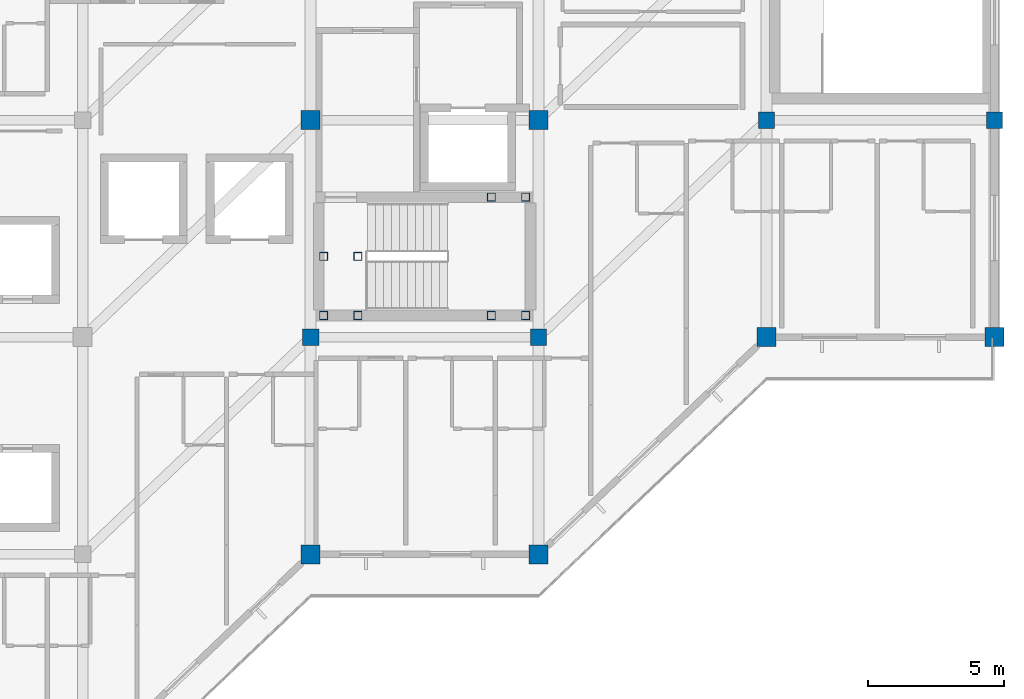
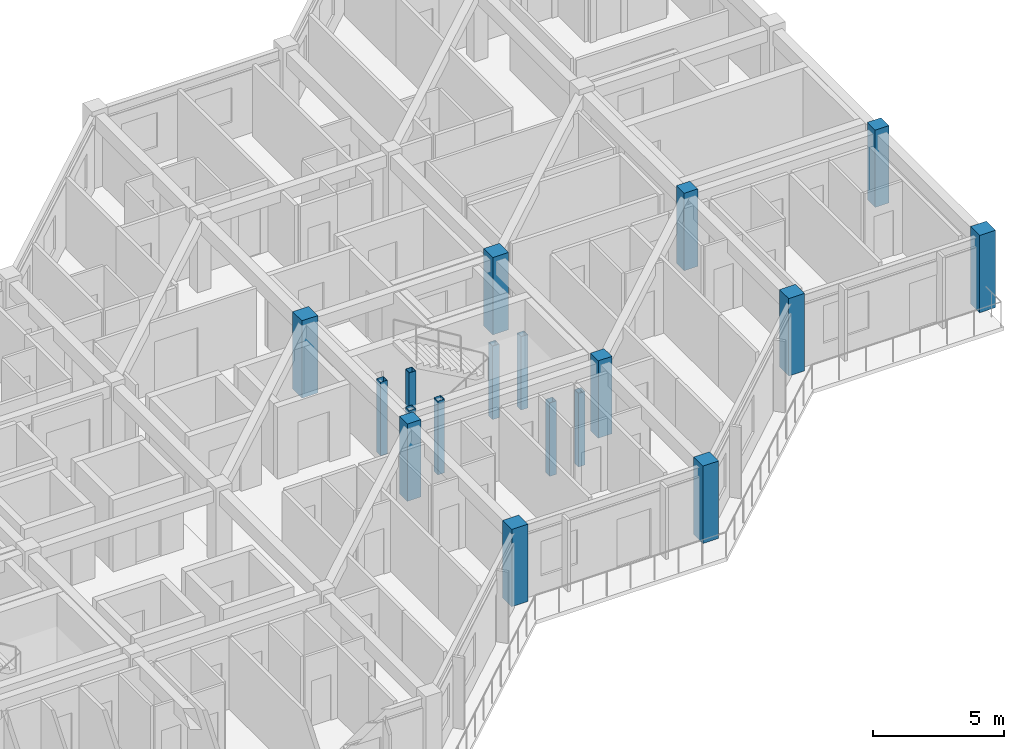
# One storey, part 2 of 15: 18 columns.
"""IFC4 building model written with IfcOpenShell, lengths in metres."""

from ifc_helpers import new_model, si_unit, direction, frame, origin, origin_2d, place, context, subcontext, project, spatial, rectangle, hollow_rectangle, extrude, material, material_profile, profile_set, type_object, element, save


model = new_model("IFC4")

# Units and contexts
model_context = context("Model", 3, precision=1e-05, world=origin(), true_north=direction((0.0, 1.0)))
body_context = subcontext(model_context, "Body", "Model", "MODEL_VIEW")
ifc_project = project(units=[si_unit("LENGTHUNIT", "METRE"), si_unit("AREAUNIT", "SQUARE_METRE"), si_unit("VOLUMEUNIT", "CUBIC_METRE"), si_unit("PLANEANGLEUNIT", "RADIAN"), si_unit("MASSUNIT", "GRAM", prefix="KILO")], contexts=[model_context])

# Site, building, storey
site_placement = place(None, origin())
site = spatial("IfcSite", under=ifc_project, at=site_placement, CompositionType="ELEMENT")
building_placement = place(site_placement, origin())
building = spatial("IfcBuilding", under=site, at=building_placement, Name="Naruveol Harbour Congress Hotel", CompositionType="ELEMENT")
storey_placement = place(building_placement, frame((0.0, 0.0, 32.39990234375)))
storey = spatial("IfcBuildingStorey", under=building, at=storey_placement, Name="L07", CompositionType="ELEMENT", Elevation=32.39990234375)

# Columns
ifc_material_1 = material(Name="Concrete C40/50", Category="concrete")
ifc_material_profile_1 = material_profile(ifc_material_1, rectangle(XDim=0.699951171875, YDim=0.699951171875, at=origin_2d()), Name="RC-700x700")
ifc_profile_set_1 = profile_set([ifc_material_profile_1], Name="Concrete C40/50")
column_type_1 = type_object("IfcColumnType", Name="RC HOTEL COLUMN 700X700", PredefinedType="COLUMN", material=ifc_profile_set_1)
for number, where, z_axis, x_axis, name in (
    (1, (151.199951171875, 8.0, 0.0), (0.0, 0.0, 1.0), (1.0, 0.0, 0.0), "Column C-700 L07 (151.2,8.0)"),
    (2, (151.199951171875, 24.0, 0.0), (0.0, 0.0, 1.0), (1.0, 0.0, 0.0), "Column C-700 L07 (151.2,24.0)"),
    (3, (159.60009765625, 8.0, 0.0), (0.0, 0.0, 1.0), (1.0, 0.0, 0.0), "Column C-700 L07 (159.6,8.0)"),
    (4, (159.60009765625, 24.0, 0.0), (0.0, 0.0, 1.0), (1.0, 0.0, 0.0), "Column C-700 L07 (159.6,24.0)"),
    (5, (168.0, 16.0, 0.0), (0.0, 0.0, 1.0), (1.0, 0.0, 0.0), "Column C-700 L07 (168.0,16.0)"),
    (6, (176.39990234375, 16.0, 0.0), (0.0, 0.0, 1.0), (1.0, 0.0, 0.0), "Column C-700 L07 (176.4,16.0)"),
):
    element("IfcColumn", number, at=place(storey_placement, frame(where, z_axis=z_axis, x_axis=x_axis)), inside=storey, type_object=column_type_1, Name=name, PredefinedType="COLUMN", context=body_context, shape_type="SweptSolid", body=[
        extrude(rectangle(XDim=0.699951171875, YDim=0.699951171875, at=origin_2d()), origin(), (0.0, 0.0, 1.0), 3.60009765625),
    ])
ifc_material_2 = material(Name="Concrete C40/50", Category="concrete")
ifc_material_profile_2 = material_profile(ifc_material_2, rectangle(XDim=0.60009765625, YDim=0.60009765625, at=origin_2d()), Name="RC-600x600")
ifc_profile_set_2 = profile_set([ifc_material_profile_2], Name="Concrete C40/50")
column_type_2 = type_object("IfcColumnType", Name="RC UPPER COLUMN 600X600", PredefinedType="COLUMN", material=ifc_profile_set_2)
for number, where, z_axis, x_axis, name in (
    (7, (151.199951171875, 16.0, 0.0), (0.0, 0.0, 1.0), (1.0, 0.0, 0.0), "Planted hotel column C-600 L07 S4/J1"),
    (8, (159.60009765625, 16.0, 0.0), (0.0, 0.0, 1.0), (1.0, 0.0, 0.0), "Planted hotel column C-600 L07 S5/J1"),
    (9, (168.0, 24.0, 0.0), (0.0, 0.0, 1.0), (1.0, 0.0, 0.0), "Planted hotel column C-600 L07 S6/J1"),
    (10, (176.39990234375, 24.0, 0.0), (0.0, 0.0, 1.0), (1.0, 0.0, 0.0), "Planted hotel column C-600 L07 S7/J1"),
):
    element("IfcColumn", number, at=place(storey_placement, frame(where, z_axis=z_axis, x_axis=x_axis)), inside=storey, type_object=column_type_2, Name=name, PredefinedType="COLUMN", context=body_context, shape_type="SweptSolid", body=[
        extrude(rectangle(XDim=0.60009765625, YDim=0.60009765625, at=origin_2d()), origin(), (0.0, 0.0, 1.0), 3.60009765625),
    ])
ifc_material_3 = material(Name="Steel SN490", Category="steel")
ifc_material_profile_3 = material_profile(ifc_material_3, hollow_rectangle(XDim=0.300048828125, YDim=0.300048828125, WallThickness=0.011962890625, at=origin_2d()), Name="SHS-300x300x12")
ifc_profile_set_3 = profile_set([ifc_material_profile_3], Name="Steel SN490")
column_type_3 = type_object("IfcColumnType", Name="STEEL COLONNADE POST SHS300", PredefinedType="COLUMN", material=ifc_profile_set_3)
for number, where, z_axis, x_axis, name in (
    (11, (151.679931640625, 16.800048828125, 0.0), (0.0, 0.0, 1.0), (1.0, 0.0, 0.0), "Stair landing support post ST2W #105"),
    (12, (151.679931640625, 18.97998046875, 0.0), (0.0, 0.0, 1.0), (1.0, 0.0, 0.0), "Stair landing support post ST2W #117"),
    (13, (152.93994140625, 16.800048828125, 0.0), (0.0, 0.0, 1.0), (1.0, 0.0, 0.0), "Stair landing support post ST2W #129"),
    (14, (152.93994140625, 18.97998046875, 0.0), (0.0, 0.0, 1.0), (1.0, 0.0, 0.0), "Stair landing support post ST2W #141"),
):
    element("IfcColumn", number, at=place(storey_placement, frame(where, z_axis=z_axis, x_axis=x_axis)), inside=storey, type_object=column_type_3, Name=name, PredefinedType="COLUMN", context=body_context, shape_type="SweptSolid", body=[
        extrude(hollow_rectangle(XDim=0.300048828125, YDim=0.300048828125, WallThickness=0.011962890625, at=origin_2d()), origin(), (0.0, 0.0, 1.0), 3.420166015625),
    ])
for number, where, z_axis, x_axis, name in (
    (15, (157.860107421875, 16.800048828125, -1.7998046875), (0.0, 0.0, 1.0), (1.0, 0.0, 0.0), "Stair landing support post ST2E #153"),
    (16, (157.860107421875, 21.159912109375, -1.7998046875), (0.0, 0.0, 1.0), (1.0, 0.0, 0.0), "Stair landing support post ST2E #165"),
    (17, (159.1201171875, 16.800048828125, -1.7998046875), (0.0, 0.0, 1.0), (1.0, 0.0, 0.0), "Stair landing support post ST2E #177"),
    (18, (159.1201171875, 21.159912109375, -1.7998046875), (0.0, 0.0, 1.0), (1.0, 0.0, 0.0), "Stair landing support post ST2E #189"),
):
    element("IfcColumn", number, at=place(storey_placement, frame(where, z_axis=z_axis, x_axis=x_axis)), inside=storey, type_object=column_type_3, Name=name, PredefinedType="COLUMN", context=body_context, shape_type="SweptSolid", body=[
        extrude(hollow_rectangle(XDim=0.300048828125, YDim=0.300048828125, WallThickness=0.011962890625, at=origin_2d()), origin(), (0.0, 0.0, 1.0), 3.419921875),
    ])

save(model, "model.ifc")
